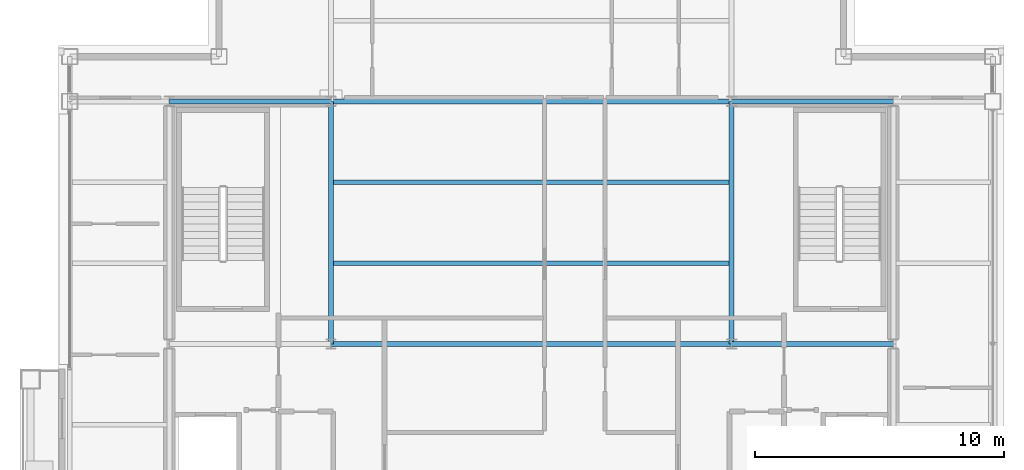
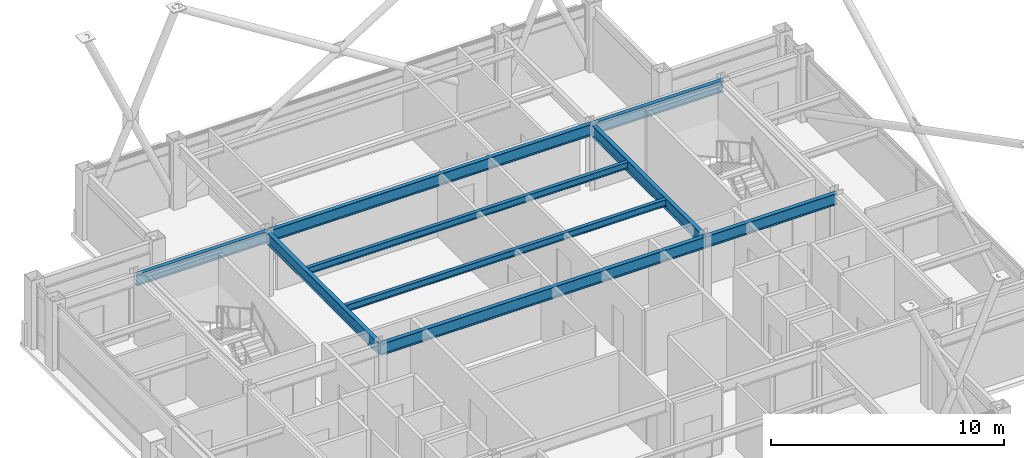
# One storey, part 12 of 26: 9 beams.
"""IFC4 building model written with IfcOpenShell, lengths in metres."""

from ifc_helpers import new_model, si_unit, direction, frame, origin, origin_2d, place, context, subcontext, project, spatial, i_section, extrude, material, material_profile, profile_set, type_object, element, save


model = new_model("IFC4")

# Units and contexts
model_context = context("Model", 3, precision=1e-05, world=origin(), true_north=direction((0.0, 1.0)))
body_context = subcontext(model_context, "Body", "Model", "MODEL_VIEW")
ifc_project = project(units=[si_unit("LENGTHUNIT", "METRE"), si_unit("AREAUNIT", "SQUARE_METRE"), si_unit("VOLUMEUNIT", "CUBIC_METRE"), si_unit("PLANEANGLEUNIT", "RADIAN"), si_unit("MASSUNIT", "GRAM", prefix="KILO")], contexts=[model_context])

# Site, building, storey
site_placement = place(None, origin())
site = spatial("IfcSite", under=ifc_project, at=site_placement, CompositionType="ELEMENT")
building_placement = place(site_placement, origin())
building = spatial("IfcBuilding", under=site, at=building_placement, Name="Brelmoor Portico Tower", CompositionType="ELEMENT")
storey_placement = place(building_placement, frame((0.0, 0.0, 247.199951171875)))
storey = spatial("IfcBuildingStorey", under=building, at=storey_placement, Name="L65", CompositionType="ELEMENT", Elevation=247.199951171875)

# Beams
ifc_material = material(Name="Steel Q355B", Category="steel")
ifc_material_profile_1 = material_profile(ifc_material, i_section(OverallWidth=0.175048828125, OverallDepth=0.35009765625, WebThickness=0.007080078125, FlangeThickness=0.010986328125, at=origin_2d()), Name="HN 350x175x7x11")
ifc_profile_set_1 = profile_set([ifc_material_profile_1], Name="Steel Q355B")
beam_type_1 = type_object("IfcBeamType", Name="BM-JS-350", PredefinedType="JOIST", material=ifc_profile_set_1)
for number, where, z_axis, x_axis, name in (
    (1, (-7.949951171875, 3.25, 3.22509765625), (1.0, 0.0, 0.0), (0.0, 1.0, 0.0), "L65 Secondary Composite Joist JS-C03"),
    (2, (-7.949951171875, 6.5, 3.22509765625), (1.0, 0.0, 0.0), (0.0, 1.0, 0.0), "L65 Secondary Composite Joist JS-C04"),
):
    element("IfcBeam", number, at=place(storey_placement, frame(where, z_axis=z_axis, x_axis=x_axis)), inside=storey, type_object=beam_type_1, Name=name, PredefinedType="JOIST", context=body_context, shape_type="SweptSolid", body=[
        extrude(i_section(OverallWidth=0.175048828125, OverallDepth=0.35009765625, WebThickness=0.007080078125, FlangeThickness=0.010986328125, at=origin_2d()), origin(), (0.0, 0.0, 1.0), 15.89990234375),
    ])
ifc_material_profile_2 = material_profile(ifc_material, i_section(OverallWidth=0.199951171875, OverallDepth=0.60009765625, WebThickness=0.010986328125, FlangeThickness=0.01708984375, at=origin_2d()), Name="HN 600x200x11x17")
ifc_profile_set_2 = profile_set([ifc_material_profile_2], Name="Steel Q355B")
beam_type_2 = type_object("IfcBeamType", Name="BM-PG-600", PredefinedType="BEAM", material=ifc_profile_set_2)
for number, where, z_axis, x_axis, name in (
    (3, (-8.050048828125, 0.0, 3.10009765625), (0.0, 1.0, 0.0), (-1.0, 0.0, 0.0), "L65 Primary Floor Girder PG-04"),
    (4, (8.050048828125, 0.0, 3.10009765625), (0.0, 1.0, 0.0), (-1.0, 0.0, 0.0), "L65 Primary Floor Girder PG-07"),
):
    element("IfcBeam", number, at=place(storey_placement, frame(where, z_axis=z_axis, x_axis=x_axis)), inside=storey, type_object=beam_type_2, Name=name, PredefinedType="BEAM", context=body_context, shape_type="SweptSolid", body=[
        extrude(i_section(OverallWidth=0.199951171875, OverallDepth=0.60009765625, WebThickness=0.010986328125, FlangeThickness=0.01708984375, at=origin_2d()), origin(), (0.0, 0.0, 1.0), 9.75),
    ])
beam_1_placement = place(storey_placement, frame((-8.050048828125, 0.0, 3.10009765625), z_axis=(1.0, 0.0, 0.0), x_axis=(0.0, 1.0, 0.0)))
element("IfcBeam", 5, at=beam_1_placement, inside=storey, type_object=beam_type_2, Name="L65 Primary Floor Girder PG-17", PredefinedType="BEAM", context=body_context, shape_type="SweptSolid", body=[
    extrude(i_section(OverallWidth=0.199951171875, OverallDepth=0.60009765625, WebThickness=0.010986328125, FlangeThickness=0.01708984375, at=origin_2d()), origin(), (0.0, 0.0, 1.0), 16.10009765625),
])
for number, where, z_axis, x_axis, name in (
    (6, (8.050048828125, 0.0, 3.10009765625), (1.0, 0.0, 0.0), (0.0, 1.0, 0.0), "L65 Primary Floor Girder PG-18"),
    (7, (-14.550048828125, 9.75, 3.10009765625), (1.0, 0.0, 0.0), (0.0, 1.0, 0.0), "L65 Primary Floor Girder PG-20"),
):
    element("IfcBeam", number, at=place(storey_placement, frame(where, z_axis=z_axis, x_axis=x_axis)), inside=storey, type_object=beam_type_2, Name=name, PredefinedType="BEAM", context=body_context, shape_type="SweptSolid", body=[
        extrude(i_section(OverallWidth=0.199951171875, OverallDepth=0.60009765625, WebThickness=0.010986328125, FlangeThickness=0.01708984375, at=origin_2d()), origin(), (0.0, 0.0, 1.0), 6.5),
    ])
beam_2_placement = place(storey_placement, frame((-8.050048828125, 9.75, 3.10009765625), z_axis=(1.0, 0.0, 0.0), x_axis=(0.0, 1.0, 0.0)))
element("IfcBeam", 8, at=beam_2_placement, inside=storey, type_object=beam_type_2, Name="L65 Primary Floor Girder PG-21", PredefinedType="BEAM", context=body_context, shape_type="SweptSolid", body=[
    extrude(i_section(OverallWidth=0.199951171875, OverallDepth=0.60009765625, WebThickness=0.010986328125, FlangeThickness=0.01708984375, at=origin_2d()), origin(), (0.0, 0.0, 1.0), 16.10009765625),
])
beam_3_placement = place(storey_placement, frame((8.050048828125, 9.75, 3.10009765625), z_axis=(1.0, 0.0, 0.0), x_axis=(0.0, 1.0, 0.0)))
element("IfcBeam", 9, at=beam_3_placement, inside=storey, type_object=beam_type_2, Name="L65 Primary Floor Girder PG-22", PredefinedType="BEAM", context=body_context, shape_type="SweptSolid", body=[
    extrude(i_section(OverallWidth=0.199951171875, OverallDepth=0.60009765625, WebThickness=0.010986328125, FlangeThickness=0.01708984375, at=origin_2d()), origin(), (0.0, 0.0, 1.0), 6.5),
])

save(model, "model.ifc")
